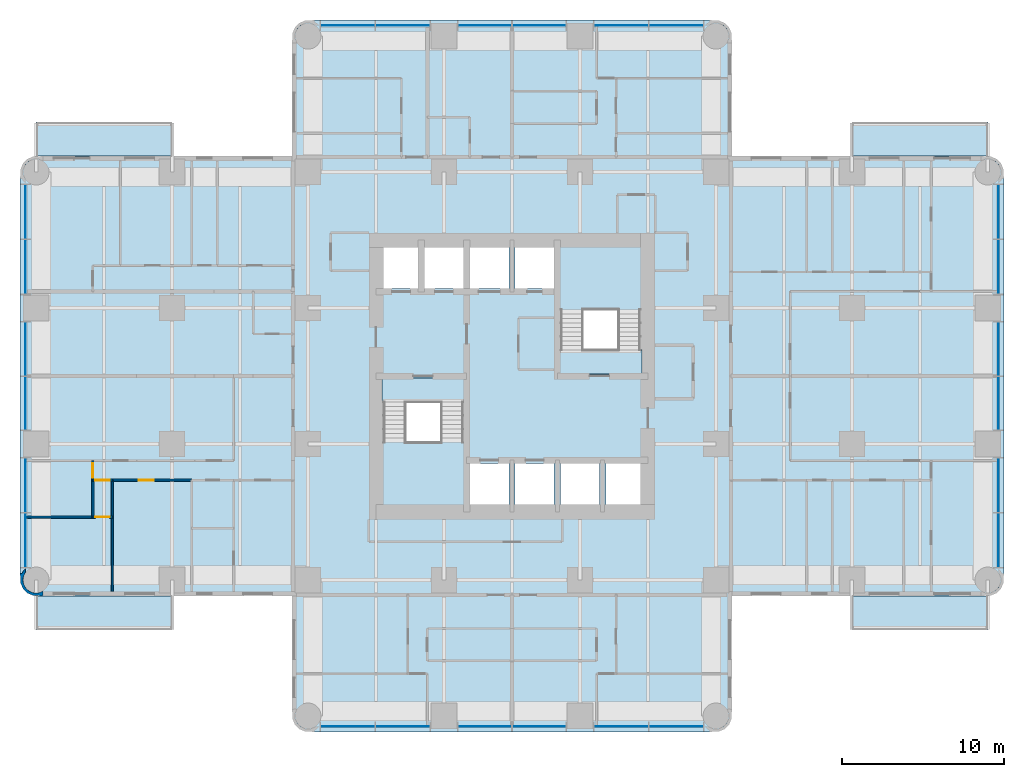
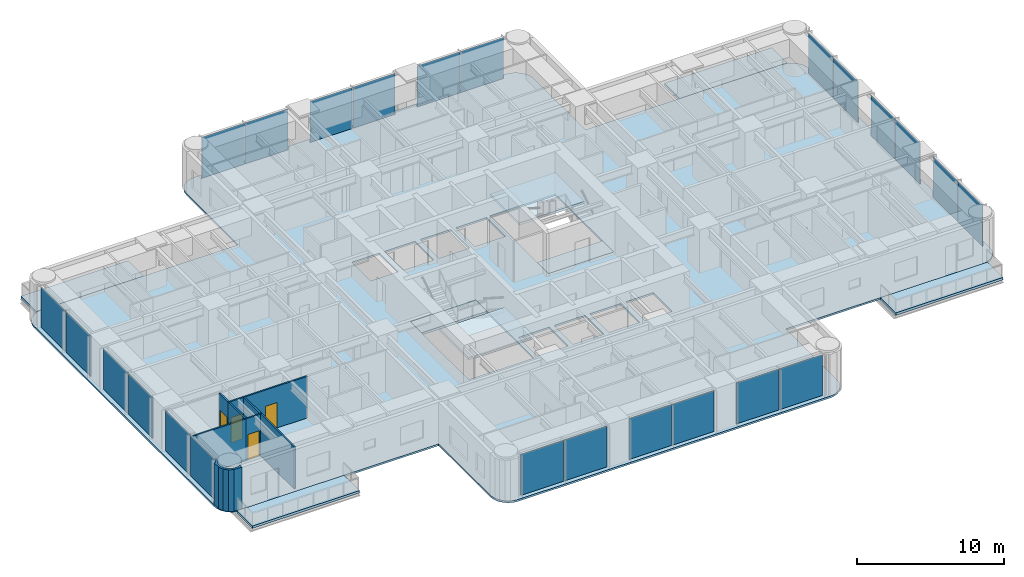
# One storey, part 5 of 14: 24 plates, 9 slabs, 9 walls, 4 doors, 4 openings, 6 elements without a shape of their own.
"""IFC4 building model written with IfcOpenShell, lengths in metres."""

from ifc_helpers import new_model, si_unit, direction, frame, frame_2d, origin, origin_2d, place, context, subcontext, project, spatial, polyline, rectangle, outline, extrude, material, layer, layer_set, type_object, element, fill, aggregate, save


model = new_model("IFC4")

# Units and contexts
model_context = context("Model", 3, precision=1e-05, world=origin(), true_north=direction((0.0, 1.0)))
body_context = subcontext(model_context, "Body", "Model", "MODEL_VIEW")
ifc_project = project(units=[si_unit("LENGTHUNIT", "METRE"), si_unit("AREAUNIT", "SQUARE_METRE"), si_unit("VOLUMEUNIT", "CUBIC_METRE"), si_unit("PLANEANGLEUNIT", "RADIAN"), si_unit("MASSUNIT", "GRAM", prefix="KILO")], contexts=[model_context])

# Site, building, storey
site_placement = place(None, origin())
site = spatial("IfcSite", under=ifc_project, at=site_placement, CompositionType="ELEMENT")
building_placement = place(site_placement, origin())
building = spatial("IfcBuilding", under=site, at=building_placement, Name="Torre Alcanfor", CompositionType="ELEMENT")
storey_placement = place(building_placement, frame((0.0, 0.0, 130.5)))
storey = spatial("IfcBuildingStorey", under=building, at=storey_placement, Name="L33", CompositionType="ELEMENT", Elevation=130.5)

# Slabs
ifc_material_1 = material(Name="Concrete f'c 35 MPa", Category="concrete")
ifc_layer_1 = layer(ifc_material_1, 0.199951171875)
ifc_layer_set_1 = layer_set([ifc_layer_1], Name="Balcony slab 200")
slab_type_1 = type_object("IfcSlabType", Name="Balcony slab 200", PredefinedType="FLOOR", material=ifc_layer_set_1)
slab_1_placement = place(storey_placement, frame((0.0, 0.0, -0.199951171875)))
element("IfcSlab", 1, at=slab_1_placement, inside=storey, type_object=slab_type_1, Name="Balcony L33-E1", PredefinedType="FLOOR", context=body_context, shape_type="SweptSolid", body=[
    extrude(outline(polyline([(50.39990234375, 43.0), (58.800048828125, 43.0), (58.800048828125, 45.10009765625), (50.39990234375, 45.10009765625), (50.39990234375, 43.0)])), origin(), (0.0, 0.0, 1.0), 0.199951171875),
])
slab_2_placement = place(storey_placement, frame((0.0, 0.0, -0.199951171875)))
element("IfcSlab", 2, at=slab_2_placement, inside=storey, type_object=slab_type_1, Name="Balcony L33-E2", PredefinedType="FLOOR", context=body_context, shape_type="SweptSolid", body=[
    extrude(outline(polyline([(50.39990234375, 13.699951171875), (58.800048828125, 13.699951171875), (58.800048828125, 15.800048828125), (50.39990234375, 15.800048828125), (50.39990234375, 13.699951171875)])), origin(), (0.0, 0.0, 1.0), 0.199951171875),
])
slab_3_placement = place(storey_placement, frame((0.0, 0.0, -0.199951171875)))
element("IfcSlab", 3, at=slab_3_placement, inside=storey, type_object=slab_type_1, Name="Balcony L33-W1", PredefinedType="FLOOR", context=body_context, shape_type="SweptSolid", body=[
    extrude(outline(polyline([(8.39990234375, 15.800048828125), (0.0, 15.800048828125), (0.0, 13.699951171875), (8.39990234375, 13.699951171875), (8.39990234375, 15.800048828125)])), origin(), (0.0, 0.0, 1.0), 0.199951171875),
])
slab_4_placement = place(storey_placement, frame((0.0, 0.0, -0.199951171875)))
element("IfcSlab", 4, at=slab_4_placement, inside=storey, type_object=slab_type_1, Name="Balcony L33-W2", PredefinedType="FLOOR", context=body_context, shape_type="SweptSolid", body=[
    extrude(outline(polyline([(8.39990234375, 45.10009765625), (0.0, 45.10009765625), (0.0, 43.0), (8.39990234375, 43.0), (8.39990234375, 45.10009765625)])), origin(), (0.0, 0.0, 1.0), 0.199951171875),
])

# Curtain wall, plates
ifc_material_2 = material(Name="Aluminium and glass", Category="aluminium")
curtain_wall_type = type_object("IfcCurtainWallType", Name="CW-A unitised apartment glazing with vertical FIN", PredefinedType="NOTDEFINED", material=ifc_material_2)
curtain_wall_1_placement = place(storey_placement, origin())
curtain_wall_1 = element("IfcCurtainWall", 5, at=curtain_wall_1_placement, inside=storey, type_object=curtain_wall_type, Name="Curtain wall CW-A L33 2", PredefinedType="NOTDEFINED")
ifc_material_3 = material(Name="Glass", Category="glass")
ifc_layer_2 = layer(ifc_material_3, 0.028076171875)
ifc_layer_set_2 = layer_set([ifc_layer_2], Name="CW-A clear double glazed unit")
plate_type = type_object("IfcPlateType", Name="CW-A clear double glazed unit", PredefinedType="CURTAIN_PANEL", material=ifc_layer_set_2)
plate_1_placement = place(storey_placement, frame((-0.64990234375, 39.541259765625, 0.0), z_axis=(0.0, 0.0, 1.0), x_axis=(0.0, -1.0, 0.0)))
plate_1 = element("IfcPlate", 6, at=plate_1_placement, type_object=plate_type, Name="CW-A panel 1.1.1", PredefinedType="CURTAIN_PANEL", context=body_context, shape_type="SweptSolid", body=[
    extrude(rectangle(XDim=3.337646484375, YDim=0.028076171875, at=origin_2d()), origin(), (0.0, 0.0, 1.0), 3.385009765625),
])
plate_2_placement = place(storey_placement, frame((-0.64990234375, 36.138671875, 0.0), z_axis=(0.0, 0.0, 1.0), x_axis=(0.0, -1.0, 0.0)))
plate_2 = element("IfcPlate", 7, at=plate_2_placement, type_object=plate_type, Name="CW-A panel 1.2.1", PredefinedType="CURTAIN_PANEL", context=body_context, shape_type="SweptSolid", body=[
    extrude(rectangle(XDim=3.337646484375, YDim=0.028076171875, at=origin_2d()), origin(), (0.0, 0.0, 1.0), 3.385009765625),
])
plate_3_placement = place(storey_placement, frame((-0.64990234375, 31.081298828125, 0.0), z_axis=(0.0, 0.0, 1.0), x_axis=(0.0, -1.0, 0.0)))
plate_3 = element("IfcPlate", 8, at=plate_3_placement, type_object=plate_type, Name="CW-A panel 2.1.1", PredefinedType="CURTAIN_PANEL", context=body_context, shape_type="SweptSolid", body=[
    extrude(rectangle(XDim=3.297607421875, YDim=0.028076171875, at=origin_2d()), origin(), (0.0, 0.0, 1.0), 3.385009765625),
])
plate_4_placement = place(storey_placement, frame((-0.64990234375, 27.71875, 0.0), z_axis=(0.0, 0.0, 1.0), x_axis=(0.0, -1.0, 0.0)))
plate_4 = element("IfcPlate", 9, at=plate_4_placement, type_object=plate_type, Name="CW-A panel 2.2.1", PredefinedType="CURTAIN_PANEL", context=body_context, shape_type="SweptSolid", body=[
    extrude(rectangle(XDim=3.297607421875, YDim=0.028076171875, at=origin_2d()), origin(), (0.0, 0.0, 1.0), 3.385009765625),
])
plate_5_placement = place(storey_placement, frame((-0.64990234375, 22.6611328125, 0.0), z_axis=(0.0, 0.0, 1.0), x_axis=(0.0, -1.0, 0.0)))
plate_5 = element("IfcPlate", 10, at=plate_5_placement, type_object=plate_type, Name="CW-A panel 3.1.1", PredefinedType="CURTAIN_PANEL", context=body_context, shape_type="SweptSolid", body=[
    extrude(rectangle(XDim=3.337646484375, YDim=0.028076171875, at=origin_2d()), origin(), (0.0, 0.0, 1.0), 3.385009765625),
])
plate_6_placement = place(storey_placement, frame((-0.64990234375, 19.2587890625, 0.0), z_axis=(0.0, 0.0, 1.0), x_axis=(0.0, -1.0, 0.0)))
plate_6 = element("IfcPlate", 11, at=plate_6_placement, type_object=plate_type, Name="CW-A panel 3.2.1", PredefinedType="CURTAIN_PANEL", context=body_context, shape_type="SweptSolid", body=[
    extrude(rectangle(XDim=3.337646484375, YDim=0.028076171875, at=origin_2d()), origin(), (0.0, 0.0, 1.0), 3.385009765625),
])
aggregate(curtain_wall_1, [plate_1, plate_2, plate_3, plate_4, plate_5, plate_6])

curtain_wall_2_placement = place(storey_placement, origin())
curtain_wall_2 = element("IfcCurtainWall", 12, at=curtain_wall_2_placement, inside=storey, type_object=curtain_wall_type, Name="Curtain wall CW-A L33 5", PredefinedType="NOTDEFINED")
plate_7_placement = place(storey_placement, frame((19.2587890625, 7.75, 0.0), z_axis=(0.0, 0.0, 1.0), x_axis=(1.0, 0.0, 0.0)))
plate_7 = element("IfcPlate", 13, at=plate_7_placement, type_object=plate_type, Name="CW-A panel 1.1.1", PredefinedType="CURTAIN_PANEL", context=body_context, shape_type="SweptSolid", body=[
    extrude(rectangle(XDim=3.337646484375, YDim=0.028076171875, at=origin_2d()), origin(), (0.0, 0.0, 1.0), 3.385009765625),
])
plate_8_placement = place(storey_placement, frame((22.6611328125, 7.75, 0.0), z_axis=(0.0, 0.0, 1.0), x_axis=(1.0, 0.0, 0.0)))
plate_8 = element("IfcPlate", 14, at=plate_8_placement, type_object=plate_type, Name="CW-A panel 1.2.1", PredefinedType="CURTAIN_PANEL", context=body_context, shape_type="SweptSolid", body=[
    extrude(rectangle(XDim=3.337646484375, YDim=0.028076171875, at=origin_2d()), origin(), (0.0, 0.0, 1.0), 3.385009765625),
])
plate_9_placement = place(storey_placement, frame((27.71875, 7.75, 0.0), z_axis=(0.0, 0.0, 1.0), x_axis=(1.0, 0.0, 0.0)))
plate_9 = element("IfcPlate", 15, at=plate_9_placement, type_object=plate_type, Name="CW-A panel 2.1.1", PredefinedType="CURTAIN_PANEL", context=body_context, shape_type="SweptSolid", body=[
    extrude(rectangle(XDim=3.297607421875, YDim=0.028076171875, at=origin_2d()), origin(), (0.0, 0.0, 1.0), 3.385009765625),
])
plate_10_placement = place(storey_placement, frame((31.081298828125, 7.75, 0.0), z_axis=(0.0, 0.0, 1.0), x_axis=(1.0, 0.0, 0.0)))
plate_10 = element("IfcPlate", 16, at=plate_10_placement, type_object=plate_type, Name="CW-A panel 2.2.1", PredefinedType="CURTAIN_PANEL", context=body_context, shape_type="SweptSolid", body=[
    extrude(rectangle(XDim=3.297607421875, YDim=0.028076171875, at=origin_2d()), origin(), (0.0, 0.0, 1.0), 3.385009765625),
])
plate_11_placement = place(storey_placement, frame((36.138671875, 7.75, 0.0), z_axis=(0.0, 0.0, 1.0), x_axis=(1.0, 0.0, 0.0)))
plate_11 = element("IfcPlate", 17, at=plate_11_placement, type_object=plate_type, Name="CW-A panel 3.1.1", PredefinedType="CURTAIN_PANEL", context=body_context, shape_type="SweptSolid", body=[
    extrude(rectangle(XDim=3.337646484375, YDim=0.028076171875, at=origin_2d()), origin(), (0.0, 0.0, 1.0), 3.385009765625),
])
plate_12_placement = place(storey_placement, frame((39.541259765625, 7.75, 0.0), z_axis=(0.0, 0.0, 1.0), x_axis=(1.0, 0.0, 0.0)))
plate_12 = element("IfcPlate", 18, at=plate_12_placement, type_object=plate_type, Name="CW-A panel 3.2.1", PredefinedType="CURTAIN_PANEL", context=body_context, shape_type="SweptSolid", body=[
    extrude(rectangle(XDim=3.337646484375, YDim=0.028076171875, at=origin_2d()), origin(), (0.0, 0.0, 1.0), 3.385009765625),
])
aggregate(curtain_wall_2, [plate_7, plate_8, plate_9, plate_10, plate_11, plate_12])

curtain_wall_3_placement = place(storey_placement, origin())
curtain_wall_3 = element("IfcCurtainWall", 19, at=curtain_wall_3_placement, inside=storey, type_object=curtain_wall_type, Name="Curtain wall CW-A L33 8", PredefinedType="NOTDEFINED")
plate_13_placement = place(storey_placement, frame((59.449951171875, 19.2587890625, 0.0), z_axis=(0.0, 0.0, 1.0), x_axis=(0.0, 1.0, 0.0)))
plate_13 = element("IfcPlate", 20, at=plate_13_placement, type_object=plate_type, Name="CW-A panel 1.1.1", PredefinedType="CURTAIN_PANEL", context=body_context, shape_type="SweptSolid", body=[
    extrude(rectangle(XDim=3.337646484375, YDim=0.028076171875, at=origin_2d()), origin(), (0.0, 0.0, 1.0), 3.385009765625),
])
plate_14_placement = place(storey_placement, frame((59.449951171875, 22.6611328125, 0.0), z_axis=(0.0, 0.0, 1.0), x_axis=(0.0, 1.0, 0.0)))
plate_14 = element("IfcPlate", 21, at=plate_14_placement, type_object=plate_type, Name="CW-A panel 1.2.1", PredefinedType="CURTAIN_PANEL", context=body_context, shape_type="SweptSolid", body=[
    extrude(rectangle(XDim=3.337646484375, YDim=0.028076171875, at=origin_2d()), origin(), (0.0, 0.0, 1.0), 3.385009765625),
])
plate_15_placement = place(storey_placement, frame((59.449951171875, 27.71875, 0.0), z_axis=(0.0, 0.0, 1.0), x_axis=(0.0, 1.0, 0.0)))
plate_15 = element("IfcPlate", 22, at=plate_15_placement, type_object=plate_type, Name="CW-A panel 2.1.1", PredefinedType="CURTAIN_PANEL", context=body_context, shape_type="SweptSolid", body=[
    extrude(rectangle(XDim=3.297607421875, YDim=0.028076171875, at=origin_2d()), origin(), (0.0, 0.0, 1.0), 3.385009765625),
])
plate_16_placement = place(storey_placement, frame((59.449951171875, 31.081298828125, 0.0), z_axis=(0.0, 0.0, 1.0), x_axis=(0.0, 1.0, 0.0)))
plate_16 = element("IfcPlate", 23, at=plate_16_placement, type_object=plate_type, Name="CW-A panel 2.2.1", PredefinedType="CURTAIN_PANEL", context=body_context, shape_type="SweptSolid", body=[
    extrude(rectangle(XDim=3.297607421875, YDim=0.028076171875, at=origin_2d()), origin(), (0.0, 0.0, 1.0), 3.385009765625),
])
plate_17_placement = place(storey_placement, frame((59.449951171875, 36.138671875, 0.0), z_axis=(0.0, 0.0, 1.0), x_axis=(0.0, 1.0, 0.0)))
plate_17 = element("IfcPlate", 24, at=plate_17_placement, type_object=plate_type, Name="CW-A panel 3.1.1", PredefinedType="CURTAIN_PANEL", context=body_context, shape_type="SweptSolid", body=[
    extrude(rectangle(XDim=3.337646484375, YDim=0.028076171875, at=origin_2d()), origin(), (0.0, 0.0, 1.0), 3.385009765625),
])
plate_18_placement = place(storey_placement, frame((59.449951171875, 39.541259765625, 0.0), z_axis=(0.0, 0.0, 1.0), x_axis=(0.0, 1.0, 0.0)))
plate_18 = element("IfcPlate", 25, at=plate_18_placement, type_object=plate_type, Name="CW-A panel 3.2.1", PredefinedType="CURTAIN_PANEL", context=body_context, shape_type="SweptSolid", body=[
    extrude(rectangle(XDim=3.337646484375, YDim=0.028076171875, at=origin_2d()), origin(), (0.0, 0.0, 1.0), 3.385009765625),
])
aggregate(curtain_wall_3, [plate_13, plate_14, plate_15, plate_16, plate_17, plate_18])

curtain_wall_4_placement = place(storey_placement, origin())
curtain_wall_4 = element("IfcCurtainWall", 26, at=curtain_wall_4_placement, inside=storey, type_object=curtain_wall_type, Name="Curtain wall CW-A L33 11", PredefinedType="NOTDEFINED")
plate_19_placement = place(storey_placement, frame((39.541259765625, 51.050048828125, 0.0), z_axis=(0.0, 0.0, 1.0), x_axis=(-1.0, 0.0, 0.0)))
plate_19 = element("IfcPlate", 27, at=plate_19_placement, type_object=plate_type, Name="CW-A panel 1.1.1", PredefinedType="CURTAIN_PANEL", context=body_context, shape_type="SweptSolid", body=[
    extrude(rectangle(XDim=3.337646484375, YDim=0.028076171875, at=origin_2d()), origin(), (0.0, 0.0, 1.0), 3.385009765625),
])
plate_20_placement = place(storey_placement, frame((36.138671875, 51.050048828125, 0.0), z_axis=(0.0, 0.0, 1.0), x_axis=(-1.0, 0.0, 0.0)))
plate_20 = element("IfcPlate", 28, at=plate_20_placement, type_object=plate_type, Name="CW-A panel 1.2.1", PredefinedType="CURTAIN_PANEL", context=body_context, shape_type="SweptSolid", body=[
    extrude(rectangle(XDim=3.337646484375, YDim=0.028076171875, at=origin_2d()), origin(), (0.0, 0.0, 1.0), 3.385009765625),
])
plate_21_placement = place(storey_placement, frame((31.081298828125, 51.050048828125, 0.0), z_axis=(0.0, 0.0, 1.0), x_axis=(-1.0, 0.0, 0.0)))
plate_21 = element("IfcPlate", 29, at=plate_21_placement, type_object=plate_type, Name="CW-A panel 2.1.1", PredefinedType="CURTAIN_PANEL", context=body_context, shape_type="SweptSolid", body=[
    extrude(rectangle(XDim=3.297607421875, YDim=0.028076171875, at=origin_2d()), origin(), (0.0, 0.0, 1.0), 3.385009765625),
])
plate_22_placement = place(storey_placement, frame((27.71875, 51.050048828125, 0.0), z_axis=(0.0, 0.0, 1.0), x_axis=(-1.0, 0.0, 0.0)))
plate_22 = element("IfcPlate", 30, at=plate_22_placement, type_object=plate_type, Name="CW-A panel 2.2.1", PredefinedType="CURTAIN_PANEL", context=body_context, shape_type="SweptSolid", body=[
    extrude(rectangle(XDim=3.297607421875, YDim=0.028076171875, at=origin_2d()), origin(), (0.0, 0.0, 1.0), 3.385009765625),
])
plate_23_placement = place(storey_placement, frame((22.6611328125, 51.050048828125, 0.0), z_axis=(0.0, 0.0, 1.0), x_axis=(-1.0, 0.0, 0.0)))
plate_23 = element("IfcPlate", 31, at=plate_23_placement, type_object=plate_type, Name="CW-A panel 3.1.1", PredefinedType="CURTAIN_PANEL", context=body_context, shape_type="SweptSolid", body=[
    extrude(rectangle(XDim=3.337646484375, YDim=0.028076171875, at=origin_2d()), origin(), (0.0, 0.0, 1.0), 3.385009765625),
])
plate_24_placement = place(storey_placement, frame((19.2587890625, 51.050048828125, 0.0), z_axis=(0.0, 0.0, 1.0), x_axis=(-1.0, 0.0, 0.0)))
plate_24 = element("IfcPlate", 32, at=plate_24_placement, type_object=plate_type, Name="CW-A panel 3.2.1", PredefinedType="CURTAIN_PANEL", context=body_context, shape_type="SweptSolid", body=[
    extrude(rectangle(XDim=3.337646484375, YDim=0.028076171875, at=origin_2d()), origin(), (0.0, 0.0, 1.0), 3.385009765625),
])
aggregate(curtain_wall_4, [plate_19, plate_20, plate_21, plate_22, plate_23, plate_24])

# Slab
ifc_material_4 = material(Name="Concrete f'c 35 MPa", Category="concrete")
ifc_layer_3 = layer(ifc_material_4, 0.14990234375)
ifc_layer_set_3 = layer_set([ifc_layer_3], Name="Composite floor 150 on metal deck")
slab_type_2 = type_object("IfcSlabType", Name="Composite floor 150 on metal deck", PredefinedType="FLOOR", material=ifc_layer_set_3)
slab_5_placement = place(storey_placement, frame((0.0, 0.0, -0.14990234375)))
element("IfcSlab", 33, at=slab_5_placement, inside=storey, type_object=slab_type_2, Name="Floor slab L33", PredefinedType="FLOOR", context=body_context, shape_type="SweptSolid", body=[
    extrude(outline(polyline([(15.800048828125, 43.0), (0.39990234375, 43.0), (0.03759765625, 42.952392578125), (-0.300048828125, 42.8125), (-0.58984375, 42.58984375), (-0.8125, 42.300048828125), (-0.952392578125, 41.96240234375), (-1.0, 41.60009765625), (-1.0, 17.199951171875), (-0.952392578125, 16.837646484375), (-0.8125, 16.5), (-0.58984375, 16.210205078125), (-0.300048828125, 15.987548828125), (0.03759765625, 15.84765625), (0.39990234375, 15.800048828125), (15.800048828125, 15.800048828125), (15.800048828125, 8.800048828125), (15.84765625, 8.437744140625), (15.987548828125, 8.10009765625), (16.210205078125, 7.81005859375), (16.5, 7.587646484375), (16.837646484375, 7.44775390625), (17.199951171875, 7.39990234375), (41.60009765625, 7.39990234375), (41.96240234375, 7.44775390625), (42.300048828125, 7.587646484375), (42.58984375, 7.81005859375), (42.8125, 8.10009765625), (42.952392578125, 8.437744140625), (43.0, 8.800048828125), (43.0, 15.800048828125), (58.39990234375, 15.800048828125), (58.76220703125, 15.84765625), (59.10009765625, 15.987548828125), (59.389892578125, 16.210205078125), (59.6123046875, 16.5), (59.752197265625, 16.837646484375), (59.800048828125, 17.199951171875), (59.800048828125, 41.60009765625), (59.752197265625, 41.96240234375), (59.6123046875, 42.300048828125), (59.389892578125, 42.58984375), (59.10009765625, 42.8125), (58.76220703125, 42.952392578125), (58.39990234375, 43.0), (43.0, 43.0), (43.0, 50.0), (42.952392578125, 50.3623046875), (42.8125, 50.699951171875), (42.58984375, 50.989990234375), (42.300048828125, 51.21240234375), (41.96240234375, 51.352294921875), (41.60009765625, 51.39990234375), (17.199951171875, 51.39990234375), (16.837646484375, 51.352294921875), (16.5, 51.21240234375), (16.210205078125, 50.989990234375), (15.987548828125, 50.699951171875), (15.84765625, 50.3623046875), (15.800048828125, 50.0), (15.800048828125, 43.0)]), holes=[polyline([(21.3701171875, 21.3701171875), (26.47998046875, 21.3701171875), (26.47998046875, 29.280029296875), (21.3701171875, 29.280029296875), (21.3701171875, 21.3701171875)]), polyline([(32.320068359375, 29.52001953125), (37.429931640625, 29.52001953125), (37.429931640625, 37.429931640625), (32.320068359375, 37.429931640625), (32.320068359375, 29.52001953125)]), polyline([(26.800048828125, 21.449951171875), (29.199951171875, 21.449951171875), (29.199951171875, 24.0), (26.800048828125, 24.0), (26.800048828125, 21.449951171875)]), polyline([(29.60009765625, 21.449951171875), (32.0, 21.449951171875), (32.0, 24.0), (29.60009765625, 24.0), (29.60009765625, 21.449951171875)]), polyline([(32.39990234375, 21.449951171875), (34.800048828125, 21.449951171875), (34.800048828125, 24.0), (32.39990234375, 24.0), (32.39990234375, 21.449951171875)]), polyline([(35.199951171875, 21.449951171875), (37.35009765625, 21.449951171875), (37.35009765625, 24.0), (35.199951171875, 24.0), (35.199951171875, 21.449951171875)]), polyline([(21.449951171875, 34.800048828125), (23.60009765625, 34.800048828125), (23.60009765625, 37.35009765625), (21.449951171875, 37.35009765625), (21.449951171875, 34.800048828125)]), polyline([(24.0, 34.800048828125), (26.39990234375, 34.800048828125), (26.39990234375, 37.35009765625), (24.0, 37.35009765625), (24.0, 34.800048828125)]), polyline([(26.800048828125, 34.800048828125), (29.199951171875, 34.800048828125), (29.199951171875, 37.35009765625), (26.800048828125, 37.35009765625), (26.800048828125, 34.800048828125)]), polyline([(29.60009765625, 34.800048828125), (32.0, 34.800048828125), (32.0, 37.35009765625), (29.60009765625, 37.35009765625), (29.60009765625, 34.800048828125)])]), origin(), (0.0, 0.0, 1.0), 0.14990234375),
])

# Stair, slabs
ifc_material_5 = material(Name="Concrete f'c 35 MPa", Category="concrete")
stair_type_1 = type_object("IfcStairType", Name="Exit stair S1 1400 wide", PredefinedType="HALF_TURN_STAIR", material=ifc_material_5)
stair_1_placement = place(storey_placement, origin())
stair_1 = element("IfcStair", 34, at=stair_1_placement, inside=storey, type_object=stair_type_1, Name="Stair S1 L33 to L34", PredefinedType="HALF_TURN_STAIR")
ifc_material_6 = material(Name="Concrete f'c 35 MPa", Category="concrete")
ifc_layer_4 = layer(ifc_material_6, 0.199951171875)
ifc_layer_set_4 = layer_set([ifc_layer_4], Name="Stair landing 200")
slab_type_3 = type_object("IfcSlabType", Name="Stair landing 200", PredefinedType="LANDING", material=ifc_layer_set_4)
slab_6_placement = place(storey_placement, frame((0.0, 0.0, -0.199951171875)))
slab_6 = element("IfcSlab", 35, at=slab_6_placement, type_object=slab_type_3, Name="S1 landing 1", PredefinedType="LANDING", context=body_context, shape_type="SweptSolid", body=[
    extrude(outline(polyline([(21.3701171875, 27.75), (26.47998046875, 27.75), (26.47998046875, 29.280029296875), (21.3701171875, 29.280029296875), (21.3701171875, 27.75)])), origin(), (0.0, 0.0, 1.0), 0.199951171875),
])
slab_7_placement = place(storey_placement, frame((0.0, 0.0, 1.60009765625)))
slab_7 = element("IfcSlab", 36, at=slab_7_placement, type_object=slab_type_3, Name="S1 landing 2", PredefinedType="LANDING", context=body_context, shape_type="SweptSolid", body=[
    extrude(outline(polyline([(21.3701171875, 21.3701171875), (26.47998046875, 21.3701171875), (26.47998046875, 25.330078125), (21.3701171875, 25.330078125), (21.3701171875, 21.3701171875)])), origin(), (0.0, 0.0, 1.0), 0.199951171875),
])
aggregate(stair_1, [slab_6, slab_7])

ifc_material_7 = material(Name="Concrete f'c 35 MPa", Category="concrete")
stair_type_2 = type_object("IfcStairType", Name="Exit stair S2 1400 wide", PredefinedType="HALF_TURN_STAIR", material=ifc_material_7)
stair_2_placement = place(storey_placement, origin())
stair_2 = element("IfcStair", 37, at=stair_2_placement, inside=storey, type_object=stair_type_2, Name="Stair S2 L33 to L34", PredefinedType="HALF_TURN_STAIR")
slab_8_placement = place(storey_placement, frame((0.0, 0.0, -0.199951171875)))
slab_8 = element("IfcSlab", 38, at=slab_8_placement, type_object=slab_type_3, Name="S2 landing 1", PredefinedType="LANDING", context=body_context, shape_type="SweptSolid", body=[
    extrude(outline(polyline([(32.320068359375, 29.52001953125), (37.429931640625, 29.52001953125), (37.429931640625, 31.050048828125), (32.320068359375, 31.050048828125), (32.320068359375, 29.52001953125)])), origin(), (0.0, 0.0, 1.0), 0.199951171875),
])
slab_9_placement = place(storey_placement, frame((0.0, 0.0, 1.60009765625)))
slab_9 = element("IfcSlab", 39, at=slab_9_placement, type_object=slab_type_3, Name="S2 landing 2", PredefinedType="LANDING", context=body_context, shape_type="SweptSolid", body=[
    extrude(outline(polyline([(32.320068359375, 33.469970703125), (37.429931640625, 33.469970703125), (37.429931640625, 37.429931640625), (32.320068359375, 37.429931640625), (32.320068359375, 33.469970703125)])), origin(), (0.0, 0.0, 1.0), 0.199951171875),
])
aggregate(stair_2, [slab_8, slab_9])

# Wall, opening, door
ifc_material_8 = material(Name="Gypsum board on steel studs", Category="steel")
ifc_layer_5 = layer(ifc_material_8, 0.1201171875)
ifc_layer_set_5 = layer_set([ifc_layer_5], Name="Apartment partition 120")
wall_type_1 = type_object("IfcWallType", Name="Apartment partition 120", PredefinedType="PARTITIONING", material=ifc_layer_set_5)
wall_1_placement = place(storey_placement, frame((4.699951171875, 22.970947265625, 0.0), z_axis=(0.0, 0.0, 1.0), x_axis=(1.0, 0.0, 0.0)))
wall_1 = element("IfcWall", 40, at=wall_1_placement, inside=storey, type_object=wall_type_1, Name="Partition L33-W1-HALL / L33-W1-BED3", PredefinedType="PARTITIONING", context=body_context, shape_type="SweptSolid", body=[
    extrude(rectangle(XDim=4.900146484375, YDim=0.1201171875, at=frame_2d((2.4501953125, 0.0))), origin(), (0.0, 0.0, 1.0), 3.449951171875),
])
opening_1_placement = place(wall_1_placement, frame((1.64990234375, 0.0, 0.0)))
opening_1 = element("IfcOpeningElement", 41, at=opening_1_placement, cuts=wall_1, Name="Opening D-R1", PredefinedType="OPENING", context=body_context, shape_type="SweptSolid", body=[
    extrude(rectangle(XDim=0.89990234375, YDim=2.10009765625, at=frame_2d((0.449951171875, 1.050048828125))), frame((0.0, 0.070068359375, 0.0), z_axis=(0.0, -1.0, 0.0), x_axis=(1.0, 0.0, 0.0)), (0.0, 0.0, 1.0), 0.14013671875),
])
ifc_material_9 = material(Name="Timber", Category="wood")
door_type = type_object("IfcDoorType", Name="Internal door 900x2100", OperationType="SINGLE_SWING_LEFT", PredefinedType="DOOR", material=ifc_material_9)
door_1_placement = place(opening_1_placement, frame((0.89990234375, 0.0, 0.0), z_axis=(0.0, 0.0, 1.0), x_axis=(-1.0, 0.0, 0.0)))
door_1 = element("IfcDoor", 42, at=door_1_placement, inside=storey, type_object=door_type, Name="Door L33-W1 bed3", OperationType="SINGLE_SWING_RIGHT", OverallHeight=2.10009765625, OverallWidth=0.89990234375, PredefinedType="DOOR", context=body_context, shape_type="SweptSolid", body=[
    extrude(rectangle(XDim=0.89990234375, YDim=2.10009765625, at=frame_2d((0.449951171875, 1.050048828125))), frame((0.0, 0.025146484375, 0.0), z_axis=(0.0, -1.0, 0.0), x_axis=(1.0, 0.0, 0.0)), (0.0, 0.0, 1.0), 0.050048828125),
])
fill(opening_1, door_1)

wall_2_placement = place(storey_placement, frame((3.5, 22.970947265625, 0.0), z_axis=(0.0, 0.0, 1.0), x_axis=(1.0, 0.0, 0.0)))
wall_2 = element("IfcWall", 43, at=wall_2_placement, inside=storey, type_object=wall_type_1, Name="Partition L33-W1-HALL / L33-W1-VEST", PredefinedType="PARTITIONING", context=body_context, shape_type="SweptSolid", body=[
    extrude(rectangle(XDim=1.199951171875, YDim=0.1201171875, at=frame_2d((0.60009765625, 0.0))), origin(), (0.0, 0.0, 1.0), 3.449951171875),
])
opening_2_placement = place(wall_2_placement, frame((0.14990234375, 0.0, 0.0)))
opening_2 = element("IfcOpeningElement", 44, at=opening_2_placement, cuts=wall_2, Name="Opening D-R1", PredefinedType="OPENING", context=body_context, shape_type="SweptSolid", body=[
    extrude(rectangle(XDim=0.89990234375, YDim=2.10009765625, at=frame_2d((0.449951171875, 1.050048828125))), frame((0.0, 0.070068359375, 0.0), z_axis=(0.0, -1.0, 0.0), x_axis=(1.0, 0.0, 0.0)), (0.0, 0.0, 1.0), 0.14013671875),
])
door_2_placement = place(opening_2_placement, frame((0.89990234375, 0.0, 0.0), z_axis=(0.0, 0.0, 1.0), x_axis=(-1.0, 0.0, 0.0)))
door_2 = element("IfcDoor", 45, at=door_2_placement, inside=storey, type_object=door_type, Name="Door L33-W1 vest", OperationType="SINGLE_SWING_RIGHT", OverallHeight=2.10009765625, OverallWidth=0.89990234375, PredefinedType="DOOR", context=body_context, shape_type="SweptSolid", body=[
    extrude(rectangle(XDim=0.89990234375, YDim=2.10009765625, at=frame_2d((0.449951171875, 1.050048828125))), frame((0.0, 0.025146484375, 0.0), z_axis=(0.0, -1.0, 0.0), x_axis=(1.0, 0.0, 0.0)), (0.0, 0.0, 1.0), 0.050048828125),
])
fill(opening_2, door_2)

wall_3_placement = place(storey_placement, frame((3.5, 24.1708984375, 0.0), z_axis=(0.0, 0.0, 1.0), x_axis=(0.0, -1.0, 0.0)))
wall_3 = element("IfcWall", 46, at=wall_3_placement, inside=storey, type_object=wall_type_1, Name="Partition L33-W1-HALL / L33-W1-BED2", PredefinedType="PARTITIONING", context=body_context, shape_type="SweptSolid", body=[
    extrude(rectangle(XDim=1.199951171875, YDim=0.1201171875, at=frame_2d((0.60009765625, 0.0))), origin(), (0.0, 0.0, 1.0), 3.449951171875),
])
opening_3_placement = place(wall_3_placement, frame((0.15087890625, 0.0, 0.0)))
opening_3 = element("IfcOpeningElement", 47, at=opening_3_placement, cuts=wall_3, Name="Opening D-R1", PredefinedType="OPENING", context=body_context, shape_type="SweptSolid", body=[
    extrude(rectangle(XDim=0.89990234375, YDim=2.10009765625, at=frame_2d((0.449951171875, 1.050048828125))), frame((0.0, 0.070068359375, 0.0), z_axis=(0.0, -1.0, 0.0), x_axis=(1.0, 0.0, 0.0)), (0.0, 0.0, 1.0), 0.14013671875),
])
door_3_placement = place(opening_3_placement, frame((0.89990234375, 0.0, 0.0), z_axis=(0.0, 0.0, 1.0), x_axis=(-1.0, 0.0, 0.0)))
door_3 = element("IfcDoor", 48, at=door_3_placement, inside=storey, type_object=door_type, Name="Door L33-W1 bed2", OperationType="SINGLE_SWING_RIGHT", OverallHeight=2.10009765625, OverallWidth=0.89990234375, PredefinedType="DOOR", context=body_context, shape_type="SweptSolid", body=[
    extrude(rectangle(XDim=0.89990234375, YDim=2.10009765625, at=frame_2d((0.449951171875, 1.050048828125))), frame((0.0, 0.025146484375, 0.0), z_axis=(0.0, -1.0, 0.0), x_axis=(1.0, 0.0, 0.0)), (0.0, 0.0, 1.0), 0.050048828125),
])
fill(opening_3, door_3)

# Walls
wall_4_placement = place(storey_placement, frame((4.699951171875, 22.970947265625, 0.0), z_axis=(0.0, 0.0, 1.0), x_axis=(0.0, -1.0, 0.0)))
element("IfcWall", 49, at=wall_4_placement, inside=storey, type_object=wall_type_1, Name="Partition L33-W1-BED3 / L33-W1-VEST", PredefinedType="PARTITIONING", context=body_context, shape_type="SweptSolid", body=[
    extrude(rectangle(XDim=2.284912109375, YDim=0.1201171875, at=frame_2d((1.142578125, 0.0))), origin(), (0.0, 0.0, 1.0), 3.449951171875),
])
wall_5_placement = place(storey_placement, frame((4.699951171875, 20.68603515625, 0.0), z_axis=(0.0, 0.0, 1.0), x_axis=(0.0, -1.0, 0.0)))
element("IfcWall", 50, at=wall_5_placement, inside=storey, type_object=wall_type_1, Name="Partition L33-W1-BED3 / L33-W1-MASTER", PredefinedType="PARTITIONING", context=body_context, shape_type="SweptSolid", body=[
    extrude(rectangle(XDim=4.5859375, YDim=0.1201171875, at=frame_2d((2.29296875, 0.0))), origin(), (0.0, 0.0, 1.0), 3.449951171875),
])
wall_6_placement = place(storey_placement, frame((3.5, 22.970947265625, 0.0), z_axis=(0.0, 0.0, 1.0), x_axis=(0.0, -1.0, 0.0)))
element("IfcWall", 51, at=wall_6_placement, inside=storey, type_object=wall_type_1, Name="Partition L33-W1-VEST / L33-W1-BED2", PredefinedType="PARTITIONING", context=body_context, shape_type="SweptSolid", body=[
    extrude(rectangle(XDim=2.284912109375, YDim=0.1201171875, at=frame_2d((1.142578125, 0.0))), origin(), (0.0, 0.0, 1.0), 3.449951171875),
])

# Wall, opening, door
wall_7_placement = place(storey_placement, frame((3.5, 20.68603515625, 0.0), z_axis=(0.0, 0.0, 1.0), x_axis=(1.0, 0.0, 0.0)))
wall_7 = element("IfcWall", 52, at=wall_7_placement, inside=storey, type_object=wall_type_1, Name="Partition L33-W1-VEST / L33-W1-MASTER", PredefinedType="PARTITIONING", context=body_context, shape_type="SweptSolid", body=[
    extrude(rectangle(XDim=1.199951171875, YDim=0.1201171875, at=frame_2d((0.60009765625, 0.0))), origin(), (0.0, 0.0, 1.0), 3.449951171875),
])
opening_4_placement = place(wall_7_placement, frame((0.14990234375, 0.0, 0.0)))
opening_4 = element("IfcOpeningElement", 53, at=opening_4_placement, cuts=wall_7, Name="Opening D-R1", PredefinedType="OPENING", context=body_context, shape_type="SweptSolid", body=[
    extrude(rectangle(XDim=0.89990234375, YDim=2.10009765625, at=frame_2d((0.449951171875, 1.050048828125))), frame((0.0, 0.070068359375, 0.0), z_axis=(0.0, -1.0, 0.0), x_axis=(1.0, 0.0, 0.0)), (0.0, 0.0, 1.0), 0.14013671875),
])
door_4_placement = place(opening_4_placement, origin())
door_4 = element("IfcDoor", 54, at=door_4_placement, inside=storey, type_object=door_type, Name="Door L33-W1 master", OperationType="SINGLE_SWING_LEFT", OverallHeight=2.10009765625, OverallWidth=0.89990234375, PredefinedType="DOOR", context=body_context, shape_type="SweptSolid", body=[
    extrude(rectangle(XDim=0.89990234375, YDim=2.10009765625, at=frame_2d((0.449951171875, 1.050048828125))), frame((0.0, 0.02490234375, 0.0), z_axis=(0.0, -1.0, 0.0), x_axis=(1.0, 0.0, 0.0)), (0.0, 0.0, 1.0), 0.050048828125),
])
fill(opening_4, door_4)

# Walls
wall_8_placement = place(storey_placement, frame((-0.64990234375, 20.68603515625, 0.0), z_axis=(0.0, 0.0, 1.0), x_axis=(1.0, 0.0, 0.0)))
element("IfcWall", 55, at=wall_8_placement, inside=storey, type_object=wall_type_1, Name="Partition L33-W1-BED2 / L33-W1-MASTER", PredefinedType="PARTITIONING", context=body_context, shape_type="SweptSolid", body=[
    extrude(rectangle(XDim=4.14990234375, YDim=0.1201171875, at=frame_2d((2.074951171875, 0.0))), origin(), (0.0, 0.0, 1.0), 3.449951171875),
])
ifc_material_10 = material(Name="Limestone cladding", Category="masonry")
ifc_layer_6 = layer(ifc_material_10, 0.0400390625, Name="Facing")
ifc_material_11 = material(Name="Ventilated air cavity")
ifc_layer_7 = layer(ifc_material_11, 0.02001953125, ventilated=True, Name="Ventilated joint")
ifc_material_12 = material(Name="Mineral wool insulation", Category="insulation")
ifc_layer_8 = layer(ifc_material_12, 0.10009765625, Name="Insulation")
ifc_material_13 = material(Name="Concrete f'c 35 MPa", Category="concrete")
ifc_layer_9 = layer(ifc_material_13, 0.139892578125, Name="Backing")
ifc_layer_set_6 = layer_set([ifc_layer_6, ifc_layer_7, ifc_layer_8, ifc_layer_9], Name="Rounded corner pier stone-clad 300")
wall_type_2 = type_object("IfcWallType", Name="Rounded corner pier stone-clad 300", PredefinedType="SOLIDWALL", material=ifc_layer_set_6)
wall_9_placement = place(storey_placement, frame((-0.595317512, 17.448071802, 0.0), z_axis=(0.0, 0.0, 1.0), x_axis=(-0.93923434088, -0.343276641956, 0.0)))
element("IfcWall", 56, at=wall_9_placement, inside=storey, type_object=wall_type_2, Name="Corner pier L33 14", PredefinedType="SOLIDWALL", context=body_context, shape_type="SweptSolid", body=[
    extrude(outline(polyline([(-0.36901687290747565, 1.8895155017116005), (-0.5091640790076659, 1.6212761977701722), (-0.4905903530283585, 1.6144877680830545), (-0.47948243923657013, 1.6086084348003613), (-0.21122522327048593, 1.6199972505432854), (0.08778883447046232, 1.5107119133580826), (0.3225108976454373, 1.2952164137736593), (0.4570343816413681, 1.0061292766156664), (0.470385530542732, 0.6877670550734887), (0.36101638558361415, 0.38852369207353665), (0.14552088599919094, 0.15380162889856172), (0.10803112982284666, 0.13657123594691412), (0.030844170047101382, -0.07461890759558078), (0.24094301513563465, 0.023009904898978376), (0.3335722649355225, 0.12354205241220817), (0.46526570659148436, 0.09412537095504334), (0.5319165148651629, 0.3931255880778293), (0.6305582647631567, 0.6630178779252955), (0.6143066479271062, 1.0445648337608835), (0.4533864294189357, 1.390867848169107), (0.172157378959642, 1.6490946263605986), (-0.09750560562882049, 1.747652568484677), (-0.36901687290747565, 1.8895155017116005)])), origin(), (0.0, 0.0, 1.0), 3.449951171875),
])

save(model, "model.ifc")
